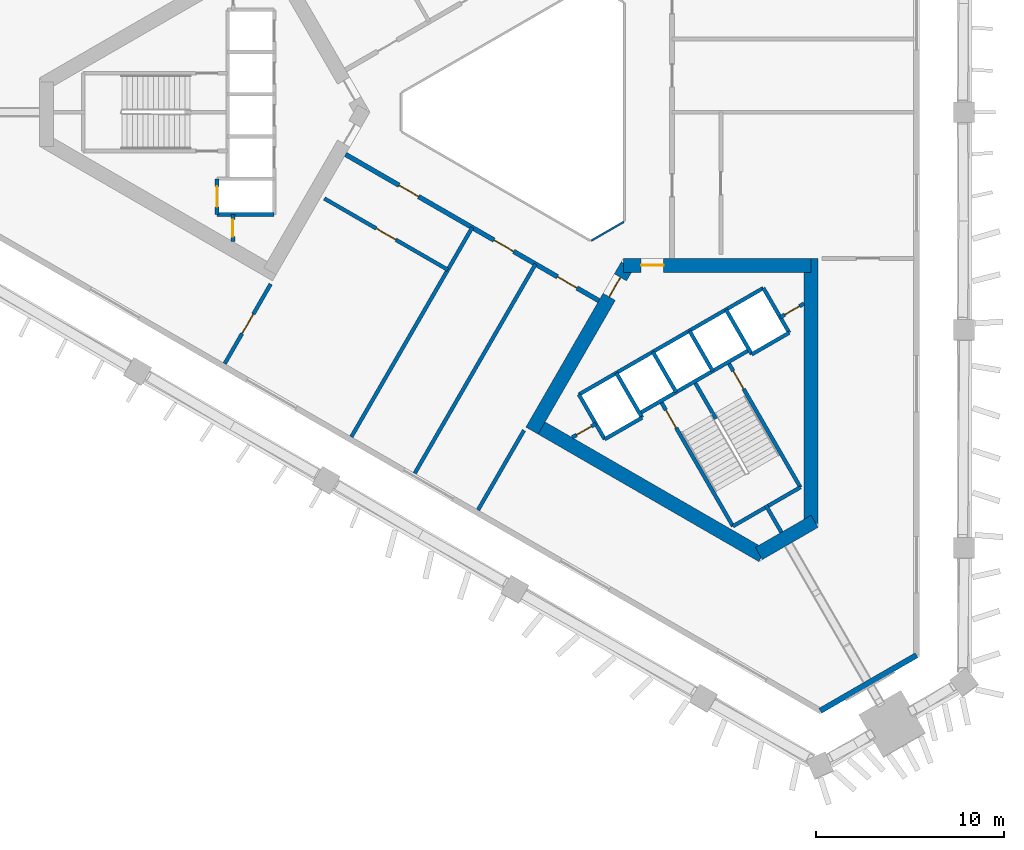
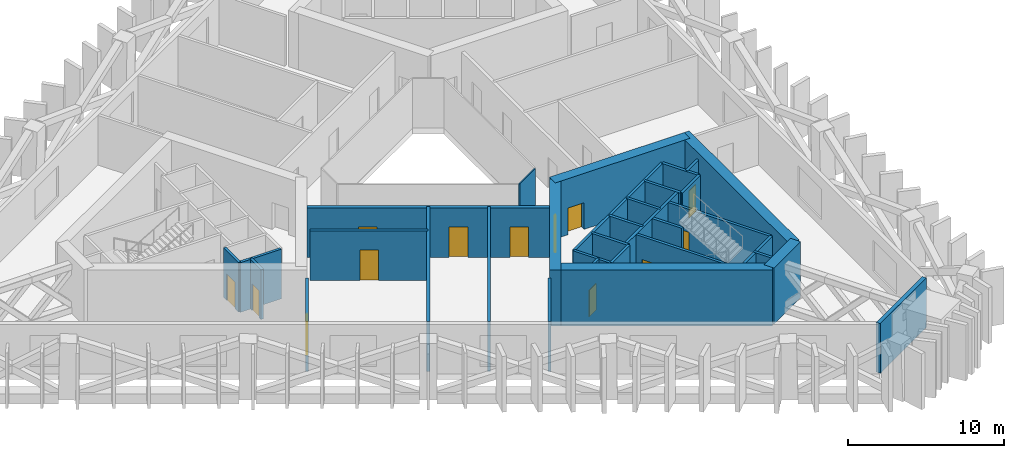
# One storey, part 4 of 9: 33 walls, 13 doors, 13 openings.
"""IFC4 building model written with IfcOpenShell, lengths in metres."""

from ifc_helpers import new_model, si_unit, direction, frame, frame_2d, origin, place, context, subcontext, project, spatial, rectangle, extrude, material, layer, layer_set, type_object, element, fill, save


model = new_model("IFC4")

# Units and contexts
model_context = context("Model", 3, precision=1e-05, world=origin(), true_north=direction((0.0, 1.0)))
body_context = subcontext(model_context, "Body", "Model", "MODEL_VIEW")
ifc_project = project(units=[si_unit("LENGTHUNIT", "METRE"), si_unit("AREAUNIT", "SQUARE_METRE"), si_unit("VOLUMEUNIT", "CUBIC_METRE"), si_unit("PLANEANGLEUNIT", "RADIAN"), si_unit("MASSUNIT", "GRAM", prefix="KILO")], contexts=[model_context])

# Site, building, storey
site_placement = place(None, origin())
site = spatial("IfcSite", under=ifc_project, at=site_placement, CompositionType="ELEMENT")
building_placement = place(site_placement, origin())
building = spatial("IfcBuilding", under=site, at=building_placement, Name="Jabali Bay Hotel Tower and Convention Centre", CompositionType="ELEMENT")
storey_placement = place(building_placement, frame((0.0, 0.0, 98.0)))
storey = spatial("IfcBuildingStorey", under=building, at=storey_placement, Name="L23", CompositionType="ELEMENT", Elevation=98.0)

# Wall
ifc_material_1 = material(Name="Fire-resistant glazing", Category="glass")
ifc_layer_1 = layer(ifc_material_1, 0.10009765625)
ifc_layer_set_1 = layer_set([ifc_layer_1], Name="Fire-resistant glazing")
wall_type_1 = type_object("IfcWallType", Name="Atrium glazed screen 100", PredefinedType="PARTITIONING", material=ifc_layer_set_1)
wall_1_placement = place(storey_placement, frame((77.7978515625, 73.15380859375, 0.0), z_axis=(0.0, 0.0, 1.0), x_axis=(0.866041268327, 0.499972520799, 0.0)))
element("IfcWall", 1, at=wall_1_placement, inside=storey, type_object=wall_type_1, Name="Atrium screen 6 L23", PredefinedType="PARTITIONING", context=body_context, shape_type="SweptSolid", body=[
    extrude(rectangle(XDim=2.0, YDim=0.10009765625, at=frame_2d((1.0, 0.0))), origin(), (0.0, 0.0, 1.0), 3.89990234375),
])

# Wall, opening, door
ifc_material_2 = material(Name="Concrete C40", Category="concrete")
ifc_layer_2 = layer(ifc_material_2, 0.199951171875)
ifc_layer_set_2 = layer_set([ifc_layer_2], Name="Concrete C40")
wall_type_2 = type_object("IfcWallType", Name="Core partition wall 200", PredefinedType="PARTITIONING", material=ifc_layer_set_2)
wall_2_placement = place(storey_placement, frame((58.699951171875, 74.550048828125, 0.0), z_axis=(0.0, 0.0, 1.0), x_axis=(0.0, -1.0, 0.0)))
wall_2 = element("IfcWall", 2, at=wall_2_placement, inside=storey, type_object=wall_type_2, Name="Core wall 0.12 L23", PredefinedType="PARTITIONING", context=body_context, shape_type="SweptSolid", body=[
    extrude(rectangle(XDim=1.455078125, YDim=0.199951171875, at=frame_2d((0.7275390625, 0.0))), origin(), (0.0, 0.0, 1.0), 3.89990234375),
])
opening_1_placement = place(wall_2_placement, frame((0.277587890625, 0.0, 0.0)))
opening_1 = element("IfcOpeningElement", 3, at=opening_1_placement, cuts=wall_2, Name="Opening D530", PredefinedType="OPENING", context=body_context, shape_type="SweptSolid", body=[
    extrude(rectangle(XDim=0.89990234375, YDim=2.10009765625, at=frame_2d((0.449951171875, 1.050048828125))), frame((0.0, 0.1103515625, 0.0), z_axis=(0.0, -1.0, 0.0), x_axis=(1.0, 0.0, 0.0)), (0.0, 0.0, 1.0), 0.220947265625),
])
ifc_material_3 = material(Name="Fire-rated steel door", Category="steel")
door_type_1 = type_object("IfcDoorType", Name="Vestibule fire door 900 x 2100", OperationType="NOTDEFINED", PredefinedType="NOTDEFINED", material=ifc_material_3)
door_1_placement = place(opening_1_placement, origin())
door_1 = element("IfcDoor", 4, at=door_1_placement, inside=storey, type_object=door_type_1, Name="Vestibule fire door D530", OperationType="SINGLE_SWING_LEFT", OverallHeight=2.10009765625, OverallWidth=0.89990234375, PredefinedType="NOTDEFINED", context=body_context, shape_type="SweptSolid", body=[
    extrude(rectangle(XDim=0.89990234375, YDim=2.10009765625, at=frame_2d((0.449951171875, 1.050048828125))), frame((0.0, 0.02490234375, 0.0), z_axis=(0.0, -1.0, 0.0), x_axis=(1.0, 0.0, 0.0)), (0.0, 0.0, 1.0), 0.050048828125),
])
fill(opening_1, door_1)

# Wall
wall_3_placement = place(storey_placement, frame((87.090087890625, 59.0595703125, 0.0), z_axis=(0.0, 0.0, 1.0), x_axis=(0.499937194881, -0.866061661301, 0.0)))
element("IfcWall", 5, at=wall_3_placement, inside=storey, type_object=wall_type_2, Name="Core wall 2.5 L23", PredefinedType="PARTITIONING", context=body_context, shape_type="SweptSolid", body=[
    extrude(rectangle(XDim=1.673095703125, YDim=0.199951171875, at=frame_2d((0.83642578125, 0.0))), origin(), (0.0, 0.0, 1.0), 3.89990234375),
])

# Wall, opening, door
wall_4_placement = place(storey_placement, frame((76.77001953125, 62.662109375, 0.0), z_axis=(0.0, 0.0, 1.0), x_axis=(0.866054810376, 0.49994906283, 0.0)))
wall_4 = element("IfcWall", 6, at=wall_4_placement, inside=storey, type_object=wall_type_2, Name="Core wall 2.11 L23", PredefinedType="PARTITIONING", context=body_context, shape_type="SweptSolid", body=[
    extrude(rectangle(XDim=1.461181640625, YDim=0.199951171875, at=frame_2d((0.73046875, 0.0))), origin(), (0.0, 0.0, 1.0), 3.89990234375),
])
opening_2_placement = place(wall_4_placement, frame((0.280517578125, 0.0, 0.0)))
opening_2 = element("IfcOpeningElement", 7, at=opening_2_placement, cuts=wall_4, Name="Opening D543", PredefinedType="OPENING", context=body_context, shape_type="SweptSolid", body=[
    extrude(rectangle(XDim=0.89990234375, YDim=2.10009765625, at=frame_2d((0.449951171875, 1.050048828125))), frame((0.0, 0.1103515625, 0.0), z_axis=(0.0, -1.0, 0.0), x_axis=(1.0, 0.0, 0.0)), (0.0, 0.0, 1.0), 0.220947265625),
])
door_2_placement = place(opening_2_placement, origin())
door_2 = element("IfcDoor", 8, at=door_2_placement, inside=storey, type_object=door_type_1, Name="Vestibule fire door D543", OperationType="SINGLE_SWING_LEFT", OverallHeight=2.10009765625, OverallWidth=0.89990234375, PredefinedType="NOTDEFINED", context=body_context, shape_type="SweptSolid", body=[
    extrude(rectangle(XDim=0.89990234375, YDim=2.10009765625, at=frame_2d((0.449951171875, 1.050048828125))), frame((0.0, 0.02490234375, 0.0), z_axis=(0.0, -1.0, 0.0), x_axis=(1.0, 0.0, 0.0)), (0.0, 0.0, 1.0), 0.050048828125),
])
fill(opening_2, door_2)

wall_5_placement = place(storey_placement, frame((87.86474609375, 69.067626953125, 0.0), z_axis=(0.0, 0.0, 1.0), x_axis=(0.865982457891, 0.500074377092, 0.0)))
wall_5 = element("IfcWall", 9, at=wall_5_placement, inside=storey, type_object=wall_type_2, Name="Core wall 2.12 L23", PredefinedType="PARTITIONING", context=body_context, shape_type="SweptSolid", body=[
    extrude(rectangle(XDim=1.461181640625, YDim=0.199951171875, at=frame_2d((0.73046875, 0.0))), origin(), (0.0, 0.0, 1.0), 3.89990234375),
])
opening_3_placement = place(wall_5_placement, frame((0.280517578125, 0.0, 0.0)))
opening_3 = element("IfcOpeningElement", 10, at=opening_3_placement, cuts=wall_5, Name="Opening D542", PredefinedType="OPENING", context=body_context, shape_type="SweptSolid", body=[
    extrude(rectangle(XDim=0.89990234375, YDim=2.10009765625, at=frame_2d((0.449951171875, 1.050048828125))), frame((0.0, 0.1103515625, 0.0), z_axis=(0.0, -1.0, 0.0), x_axis=(1.0, 0.0, 0.0)), (0.0, 0.0, 1.0), 0.220947265625),
])
door_3_placement = place(opening_3_placement, origin())
door_3 = element("IfcDoor", 11, at=door_3_placement, inside=storey, type_object=door_type_1, Name="Vestibule fire door D542", OperationType="SINGLE_SWING_LEFT", OverallHeight=2.10009765625, OverallWidth=0.89990234375, PredefinedType="NOTDEFINED", context=body_context, shape_type="SweptSolid", body=[
    extrude(rectangle(XDim=0.89990234375, YDim=2.10009765625, at=frame_2d((0.449951171875, 1.050048828125))), frame((0.0, 0.02490234375, 0.0), z_axis=(0.0, -1.0, 0.0), x_axis=(1.0, 0.0, 0.0)), (0.0, 0.0, 1.0), 0.050048828125),
])
fill(opening_3, door_3)

# Wall
ifc_layer_3 = layer(ifc_material_2, 0.199951171875)
ifc_layer_set_3 = layer_set([ifc_layer_3], Name="Concrete C40")
wall_type_3 = type_object("IfcWallType", Name="Core stair wall 200", PredefinedType="SOLIDWALL", material=ifc_layer_set_3)
wall_6_placement = place(storey_placement, frame((60.89990234375, 74.550048828125, 0.0), z_axis=(0.0, 0.0, 1.0), x_axis=(-1.0, 0.0, 0.0)))
element("IfcWall", 12, at=wall_6_placement, inside=storey, type_object=wall_type_3, Name="Core wall 0.9 L23", PredefinedType="SOLIDWALL", context=body_context, shape_type="SweptSolid", body=[
    extrude(rectangle(XDim=3.0498046875, YDim=0.199951171875, at=frame_2d((1.52490234375, 0.0))), origin(), (0.0, 0.0, 1.0), 3.89990234375),
])

# Wall, opening, door
wall_7_placement = place(storey_placement, frame((57.85009765625, 76.449951171875, 0.0), z_axis=(0.0, 0.0, 1.0), x_axis=(0.0, -1.0, 0.0)))
wall_7 = element("IfcWall", 13, at=wall_7_placement, inside=storey, type_object=wall_type_3, Name="Core wall 0.14 L23", PredefinedType="SOLIDWALL", context=body_context, shape_type="SweptSolid", body=[
    extrude(rectangle(XDim=1.89990234375, YDim=0.199951171875, at=frame_2d((0.949951171875, 0.0))), origin(), (0.0, 0.0, 1.0), 3.89990234375),
])
opening_4_placement = place(wall_7_placement, frame((0.39990234375, 0.0, 0.0)))
opening_4 = element("IfcOpeningElement", 14, at=opening_4_placement, cuts=wall_7, Name="Opening LD5-L23", PredefinedType="OPENING", context=body_context, shape_type="SweptSolid", body=[
    extrude(rectangle(XDim=1.10009765625, YDim=2.10009765625, at=frame_2d((0.550048828125, 1.050048828125))), frame((0.0, 0.1103515625, 0.0), z_axis=(0.0, -1.0, 0.0), x_axis=(1.0, 0.0, 0.0)), (0.0, 0.0, 1.0), 0.220947265625),
])
ifc_material_4 = material(Name="Stainless steel landing door", Category="steel")
door_type_2 = type_object("IfcDoorType", Name="Landing door 1100 x 2100", OperationType="NOTDEFINED", PredefinedType="NOTDEFINED", material=ifc_material_4)
door_4_placement = place(opening_4_placement, origin())
door_4 = element("IfcDoor", 15, at=door_4_placement, inside=storey, type_object=door_type_2, Name="Landing doors LD5-L23", OperationType="SLIDING_TO_RIGHT", OverallHeight=2.10009765625, OverallWidth=1.10009765625, PredefinedType="NOTDEFINED", context=body_context, shape_type="SweptSolid", body=[
    extrude(rectangle(XDim=1.10009765625, YDim=2.10009765625, at=frame_2d((0.550048828125, 1.050048828125))), frame((0.0, 0.02490234375, 0.0), z_axis=(0.0, -1.0, 0.0), x_axis=(1.0, 0.0, 0.0)), (0.0, 0.0, 1.0), 0.050048828125),
])
fill(opening_4, door_4)

# Walls
for number, where, z_axis, x_axis, name in (
    (16, (77.13525390625, 64.95166015625, 0.0), (0.0, 0.0, 1.0), (0.499996545922, -0.866027397988, 0.0), "Core wall 2.0 L23"),
    (17, (79.127197265625, 66.1015625, 0.0), (0.0, 0.0, 1.0), (0.499996545922, -0.866027397988, 0.0), "Core wall 2.1 L23"),
):
    element("IfcWall", number, at=place(storey_placement, frame(where, z_axis=z_axis, x_axis=x_axis)), inside=storey, type_object=wall_type_3, Name=name, PredefinedType="SOLIDWALL", context=body_context, shape_type="SweptSolid", body=[
        extrude(rectangle(XDim=2.75, YDim=0.199951171875, at=frame_2d((1.375, 0.0))), origin(), (0.0, 0.0, 1.0), 3.89990234375),
    ])

# Wall, opening, door
wall_8_placement = place(storey_placement, frame((81.492919921875, 64.603759765625, 0.0), z_axis=(0.0, 0.0, 1.0), x_axis=(0.500006057782, -0.866021906294, 0.0)))
wall_8 = element("IfcWall", 18, at=wall_8_placement, inside=storey, type_object=wall_type_3, Name="Core wall 2.2 L23", PredefinedType="SOLIDWALL", context=body_context, shape_type="SweptSolid", body=[
    extrude(rectangle(XDim=7.7001953125, YDim=0.199951171875, at=frame_2d((3.85009765625, 0.0))), origin(), (0.0, 0.0, 1.0), 3.89990234375),
])
opening_5_placement = place(wall_8_placement, frame((0.550048828125, 0.0, 0.0)))
opening_5 = element("IfcOpeningElement", 19, at=opening_5_placement, cuts=wall_8, Name="Opening D545", PredefinedType="OPENING", context=body_context, shape_type="SweptSolid", body=[
    extrude(rectangle(XDim=1.10009765625, YDim=2.10009765625, at=frame_2d((0.550048828125, 1.050048828125))), frame((0.0, 0.1103515625, 0.0), z_axis=(0.0, -1.0, 0.0), x_axis=(1.0, 0.0, 0.0)), (0.0, 0.0, 1.0), 0.220947265625),
])
door_type_3 = type_object("IfcDoorType", Name="Stair fire door 1100 x 2100", OperationType="NOTDEFINED", PredefinedType="NOTDEFINED", material=ifc_material_3)
door_5_placement = place(opening_5_placement, origin())
door_5 = element("IfcDoor", 20, at=door_5_placement, inside=storey, type_object=door_type_3, Name="Stair fire door D545", OperationType="SINGLE_SWING_LEFT", OverallHeight=2.10009765625, OverallWidth=1.10009765625, PredefinedType="NOTDEFINED", context=body_context, shape_type="SweptSolid", body=[
    extrude(rectangle(XDim=1.10009765625, YDim=2.10009765625, at=frame_2d((0.550048828125, 1.050048828125))), frame((0.0, 0.02490234375, 0.0), z_axis=(0.0, -1.0, 0.0), x_axis=(1.0, 0.0, 0.0)), (0.0, 0.0, 1.0), 0.050048828125),
])
fill(opening_5, door_5)

# Walls
wall_9_placement = place(storey_placement, frame((81.07568359375, 67.2265625, 0.0), z_axis=(0.0, 0.0, 1.0), x_axis=(0.50000366821, -0.866023285932, 0.0)))
element("IfcWall", 21, at=wall_9_placement, inside=storey, type_object=wall_type_3, Name="Core wall 2.3 L23", PredefinedType="SOLIDWALL", context=body_context, shape_type="SweptSolid", body=[
    extrude(rectangle(XDim=2.47998046875, YDim=0.199951171875, at=frame_2d((1.239990234375, 0.0))), origin(), (0.0, 0.0, 1.0), 3.89990234375),
])
wall_10_placement = place(storey_placement, frame((83.340087890625, 65.5546875, 0.0), z_axis=(0.0, 0.0, 1.0), x_axis=(0.499946605688, -0.86605622881, 0.0)))
element("IfcWall", 22, at=wall_10_placement, inside=storey, type_object=wall_type_3, Name="Core wall 2.4 L23", PredefinedType="SOLIDWALL", context=body_context, shape_type="SweptSolid", body=[
    extrude(rectangle(XDim=2.199951171875, YDim=0.199951171875, at=frame_2d((1.10009765625, 0.0))), origin(), (0.0, 0.0, 1.0), 3.89990234375),
])
wall_11_placement = place(storey_placement, frame((83.024169921875, 68.3515625, 0.0), z_axis=(0.0, 0.0, 1.0), x_axis=(0.50000366821, -0.866023285932, 0.0)))
element("IfcWall", 23, at=wall_11_placement, inside=storey, type_object=wall_type_3, Name="Core wall 2.6 L23", PredefinedType="SOLIDWALL", context=body_context, shape_type="SweptSolid", body=[
    extrude(rectangle(XDim=2.47998046875, YDim=0.199951171875, at=frame_2d((1.239990234375, 0.0))), origin(), (0.0, 0.0, 1.0), 3.89990234375),
])

# Wall, opening, door
wall_12_placement = place(storey_placement, frame((85.0869140625, 66.6787109375, 0.0), z_axis=(0.0, 0.0, 1.0), x_axis=(0.500019787375, -0.866013979237, 0.0)))
wall_12 = element("IfcWall", 24, at=wall_12_placement, inside=storey, type_object=wall_type_3, Name="Core wall 2.7 L23", PredefinedType="SOLIDWALL", context=body_context, shape_type="SweptSolid", body=[
    extrude(rectangle(XDim=7.699951171875, YDim=0.199951171875, at=frame_2d((3.85009765625, 0.0))), origin(), (0.0, 0.0, 1.0), 3.89990234375),
])
opening_6_placement = place(wall_12_placement, frame((0.550048828125, 0.0, 0.0)))
opening_6 = element("IfcOpeningElement", 25, at=opening_6_placement, cuts=wall_12, Name="Opening D544", PredefinedType="OPENING", context=body_context, shape_type="SweptSolid", body=[
    extrude(rectangle(XDim=1.10009765625, YDim=2.10009765625, at=frame_2d((0.550048828125, 1.050048828125))), frame((0.0, 0.1103515625, 0.0), z_axis=(0.0, -1.0, 0.0), x_axis=(1.0, 0.0, 0.0)), (0.0, 0.0, 1.0), 0.220947265625),
])
door_6_placement = place(opening_6_placement, origin())
door_6 = element("IfcDoor", 26, at=door_6_placement, inside=storey, type_object=door_type_3, Name="Stair fire door D544", OperationType="SINGLE_SWING_RIGHT", OverallHeight=2.10009765625, OverallWidth=1.10009765625, PredefinedType="NOTDEFINED", context=body_context, shape_type="SweptSolid", body=[
    extrude(rectangle(XDim=1.10009765625, YDim=2.10009765625, at=frame_2d((0.550048828125, 1.050048828125))), frame((0.0, 0.02490234375, 0.0), z_axis=(0.0, -1.0, 0.0), x_axis=(1.0, 0.0, 0.0)), (0.0, 0.0, 1.0), 0.050048828125),
])
fill(opening_6, door_6)

# Walls
for number, where, z_axis, x_axis, name in (
    (27, (84.972900390625, 69.4765625, 0.0), (0.0, 0.0, 1.0), (0.499996545922, -0.866027397988, 0.0), "Core wall 2.8 L23"),
    (28, (86.964599609375, 70.62646484375, 0.0), (0.0, 0.0, 1.0), (0.499996545922, -0.866027397988, 0.0), "Core wall 2.9 L23"),
):
    element("IfcWall", number, at=place(storey_placement, frame(where, z_axis=z_axis, x_axis=x_axis)), inside=storey, type_object=wall_type_3, Name=name, PredefinedType="SOLIDWALL", context=body_context, shape_type="SweptSolid", body=[
        extrude(rectangle(XDim=2.75, YDim=0.199951171875, at=frame_2d((1.375, 0.0))), origin(), (0.0, 0.0, 1.0), 3.89990234375),
    ])
wall_13_placement = place(storey_placement, frame((77.13525390625, 64.95166015625, 0.0), z_axis=(0.0, 0.0, 1.0), x_axis=(0.866031916153, 0.499988720078, 0.0)))
element("IfcWall", 29, at=wall_13_placement, inside=storey, type_object=wall_type_3, Name="Core wall 2.10 L23", PredefinedType="SOLIDWALL", context=body_context, shape_type="SweptSolid", body=[
    extrude(rectangle(XDim=11.349853515625, YDim=0.199951171875, at=frame_2d((5.6748046875, 0.0))), origin(), (0.0, 0.0, 1.0), 3.89990234375),
])
wall_14_placement = place(storey_placement, frame((80.3671875, 63.953857421875, 0.0), z_axis=(0.0, 0.0, 1.0), x_axis=(0.866026575979, 0.499997969693, 0.0)))
element("IfcWall", 30, at=wall_14_placement, inside=storey, type_object=wall_type_3, Name="Core wall 2.13 L23", PredefinedType="SOLIDWALL", context=body_context, shape_type="SweptSolid", body=[
    extrude(rectangle(XDim=6.75, YDim=0.199951171875, at=frame_2d((3.375, 0.0))), origin(), (0.0, 0.0, 1.0), 3.89990234375),
])
wall_15_placement = place(storey_placement, frame((78.51025390625, 62.570068359375, 0.0), z_axis=(0.0, 0.0, 1.0), x_axis=(0.866053019151, 0.499952165731, 0.0)))
element("IfcWall", 31, at=wall_15_placement, inside=storey, type_object=wall_type_3, Name="Core wall 2.14 L23", PredefinedType="SOLIDWALL", context=body_context, shape_type="SweptSolid", body=[
    extrude(rectangle(XDim=2.300048828125, YDim=0.199951171875, at=frame_2d((1.14990234375, 0.0))), origin(), (0.0, 0.0, 1.0), 3.89990234375),
])
wall_16_placement = place(storey_placement, frame((86.347900390625, 67.094970703125, 0.0), z_axis=(0.0, 0.0, 1.0), x_axis=(0.86602648383, 0.499998129301, 0.0)))
element("IfcWall", 32, at=wall_16_placement, inside=storey, type_object=wall_type_3, Name="Core wall 2.15 L23", PredefinedType="SOLIDWALL", context=body_context, shape_type="SweptSolid", body=[
    extrude(rectangle(XDim=2.2998046875, YDim=0.199951171875, at=frame_2d((1.14990234375, 0.0))), origin(), (0.0, 0.0, 1.0), 3.89990234375),
])
wall_17_placement = place(storey_placement, frame((85.343017578125, 57.935302734375, 0.0), z_axis=(0.0, 0.0, 1.0), x_axis=(0.866004344652, 0.500036473714, 0.0)))
element("IfcWall", 33, at=wall_17_placement, inside=storey, type_object=wall_type_3, Name="Core wall 2.16 L23", PredefinedType="SOLIDWALL", context=body_context, shape_type="SweptSolid", body=[
    extrude(rectangle(XDim=4.150146484375, YDim=0.199951171875, at=frame_2d((2.0751953125, 0.0))), origin(), (0.0, 0.0, 1.0), 3.89990234375),
])

# Wall, opening, door
ifc_material_5 = material(Name="Concrete C60", Category="concrete")
ifc_layer_4 = layer(ifc_material_5, 0.75)
ifc_layer_set_4 = layer_set([ifc_layer_4], Name="Concrete C60")
wall_type_4 = type_object("IfcWallType", Name="Core wall 750", PredefinedType="SHEAR", material=ifc_layer_set_4)
wall_18_placement = place(storey_placement, frame((79.716552734375, 71.830810546875, 0.0), z_axis=(0.0, 0.0, 1.0), x_axis=(-0.499996230114, -0.866027580318, 0.0)))
wall_18 = element("IfcWall", 34, at=wall_18_placement, inside=storey, type_object=wall_type_4, Name="Core wall 3.1 L23", PredefinedType="SHEAR", context=body_context, shape_type="SweptSolid", body=[
    extrude(rectangle(XDim=10.16357421875, YDim=0.75, at=frame_2d((5.081787109375, 0.0))), origin(), (0.0, 0.0, 1.0), 4.39990234375),
])
opening_7_placement = place(wall_18_placement, frame((0.7333984375, 0.0, 0.0)))
opening_7 = element("IfcOpeningElement", 35, at=opening_7_placement, cuts=wall_18, Name="Opening D540", PredefinedType="OPENING", context=body_context, shape_type="SweptSolid", body=[
    extrude(rectangle(XDim=1.199951171875, YDim=2.10009765625, at=frame_2d((0.60009765625, 1.050048828125))), frame((0.0, 0.385498046875, 0.0), z_axis=(0.0, -1.0, 0.0), x_axis=(1.0, 0.0, 0.0)), (0.0, 0.0, 1.0), 0.77099609375),
])
door_type_4 = type_object("IfcDoorType", Name="Corridor end fire door 1200 x 2100", OperationType="NOTDEFINED", PredefinedType="NOTDEFINED", material=ifc_material_3)
door_7_placement = place(opening_7_placement, origin())
door_7 = element("IfcDoor", 36, at=door_7_placement, inside=storey, type_object=door_type_4, Name="Corridor end fire door D540", OperationType="SINGLE_SWING_RIGHT", OverallHeight=2.10009765625, OverallWidth=1.199951171875, PredefinedType="NOTDEFINED", context=body_context, shape_type="SweptSolid", body=[
    extrude(rectangle(XDim=1.199951171875, YDim=2.10009765625, at=frame_2d((0.60009765625, 1.050048828125))), frame((0.0, 0.02490234375, 0.0), z_axis=(0.0, -1.0, 0.0), x_axis=(1.0, 0.0, 0.0)), (0.0, 0.0, 1.0), 0.050048828125),
])
fill(opening_7, door_7)

# Walls
wall_19_placement = place(storey_placement, frame((74.822265625, 63.353759765625, 0.0), z_axis=(0.0, 0.0, 1.0), x_axis=(0.8660248072, -0.500001033313, 0.0)))
element("IfcWall", 37, at=wall_19_placement, inside=storey, type_object=wall_type_4, Name="Core wall 3.2 L23", PredefinedType="SHEAR", context=body_context, shape_type="SweptSolid", body=[
    extrude(rectangle(XDim=13.95849609375, YDim=0.75, at=frame_2d((6.979248046875, 0.0))), origin(), (0.0, 0.0, 1.0), 4.39990234375),
])
wall_20_placement = place(storey_placement, frame((86.72314453125, 56.482666015625, 0.0), z_axis=(0.0, 0.0, 1.0), x_axis=(0.866017201164, 0.500014207086, 0.0)))
element("IfcWall", 38, at=wall_20_placement, inside=storey, type_object=wall_type_4, Name="Core wall 3.3 L23", PredefinedType="SHEAR", context=body_context, shape_type="SweptSolid", body=[
    extrude(rectangle(XDim=3.4287109375, YDim=0.75, at=frame_2d((1.71435546875, 0.0))), origin(), (0.0, 0.0, 1.0), 4.39990234375),
])
wall_21_placement = place(storey_placement, frame((89.5048828125, 58.0888671875, 0.0), z_axis=(0.0, 0.0, 1.0), x_axis=(0.0, 1.0, 0.0)))
element("IfcWall", 39, at=wall_21_placement, inside=storey, type_object=wall_type_4, Name="Core wall 3.4 L23", PredefinedType="SHEAR", context=body_context, shape_type="SweptSolid", body=[
    extrude(rectangle(XDim=14.116943359375, YDim=0.75, at=frame_2d((7.05859375, 0.0))), origin(), (0.0, 0.0, 1.0), 4.39990234375),
])

# Wall, opening, door
wall_22_placement = place(storey_placement, frame((89.5048828125, 71.830810546875, 0.0), z_axis=(0.0, 0.0, 1.0), x_axis=(-1.0, 0.0, 0.0)))
wall_22 = element("IfcWall", 40, at=wall_22_placement, inside=storey, type_object=wall_type_4, Name="Core wall 3.5 L23", PredefinedType="SHEAR", context=body_context, shape_type="SweptSolid", body=[
    extrude(rectangle(XDim=10.0048828125, YDim=0.75, at=frame_2d((5.00244140625, 0.0))), origin(), (0.0, 0.0, 1.0), 4.39990234375),
])
opening_8_placement = place(wall_22_placement, frame((7.85498046875, 0.0, 0.0)))
opening_8 = element("IfcOpeningElement", 41, at=opening_8_placement, cuts=wall_22, Name="Opening D541", PredefinedType="OPENING", context=body_context, shape_type="SweptSolid", body=[
    extrude(rectangle(XDim=1.199951171875, YDim=2.10009765625, at=frame_2d((0.60009765625, 1.050048828125))), frame((0.0, 0.385498046875, 0.0), z_axis=(0.0, -1.0, 0.0), x_axis=(1.0, 0.0, 0.0)), (0.0, 0.0, 1.0), 0.77099609375),
])
door_8_placement = place(opening_8_placement, origin())
door_8 = element("IfcDoor", 42, at=door_8_placement, inside=storey, type_object=door_type_4, Name="Corridor end fire door D541", OperationType="SINGLE_SWING_LEFT", OverallHeight=2.10009765625, OverallWidth=1.199951171875, PredefinedType="NOTDEFINED", context=body_context, shape_type="SweptSolid", body=[
    extrude(rectangle(XDim=1.199951171875, YDim=2.10009765625, at=frame_2d((0.60009765625, 1.050048828125))), frame((0.0, 0.02490234375, 0.0), z_axis=(0.0, -1.0, 0.0), x_axis=(1.0, 0.0, 0.0)), (0.0, 0.0, 1.0), 0.050048828125),
])
fill(opening_8, door_8)

# Wall, openings, doors
ifc_layer_5 = layer(ifc_material_5, 0.25)
ifc_layer_set_5 = layer_set([ifc_layer_5], Name="Concrete C60")
wall_type_5 = type_object("IfcWallType", Name="Corridor wall 250", PredefinedType="SHEAR", material=ifc_layer_set_5)
wall_23_placement = place(storey_placement, frame((64.699951171875, 77.748291015625, 0.0), z_axis=(0.0, 0.0, 1.0), x_axis=(0.866026492143, -0.499998114903, 0.0)))
wall_23 = element("IfcWall", 43, at=wall_23_placement, inside=storey, type_object=wall_type_5, Name="Corridor wall 3 L23", PredefinedType="SHEAR", context=body_context, shape_type="SweptSolid", body=[
    extrude(rectangle(XDim=15.58837890625, YDim=0.25, at=frame_2d((7.794189453125, 0.0))), origin(), (0.0, 0.0, 1.0), 3.89990234375),
])
opening_9_placement = place(wall_23_placement, frame((3.297119140625, 0.0, 0.0)))
opening_9 = element("IfcOpeningElement", 44, at=opening_9_placement, cuts=wall_23, Name="Opening 2309", PredefinedType="OPENING", context=body_context, shape_type="SweptSolid", body=[
    extrude(rectangle(XDim=1.199951171875, YDim=2.39990234375, at=frame_2d((0.60009765625, 1.199951171875))), frame((0.0, 0.135498046875, 0.0), z_axis=(0.0, -1.0, 0.0), x_axis=(1.0, 0.0, 0.0)), (0.0, 0.0, 1.0), 0.27099609375),
])
opening_10_placement = place(wall_23_placement, frame((9.142822265625, 0.0, 0.0)))
opening_10 = element("IfcOpeningElement", 45, at=opening_10_placement, cuts=wall_23, Name="Opening 2311", PredefinedType="OPENING", context=body_context, shape_type="SweptSolid", body=[
    extrude(rectangle(XDim=1.199951171875, YDim=2.39990234375, at=frame_2d((0.60009765625, 1.199951171875))), frame((0.0, 0.135498046875, 0.0), z_axis=(0.0, -1.0, 0.0), x_axis=(1.0, 0.0, 0.0)), (0.0, 0.0, 1.0), 0.27099609375),
])
opening_11_placement = place(wall_23_placement, frame((13.039794921875, 0.0, 0.0)))
opening_11 = element("IfcOpeningElement", 46, at=opening_11_placement, cuts=wall_23, Name="Opening 2312", PredefinedType="OPENING", context=body_context, shape_type="SweptSolid", body=[
    extrude(rectangle(XDim=1.199951171875, YDim=2.39990234375, at=frame_2d((0.60009765625, 1.199951171875))), frame((0.0, 0.135498046875, 0.0), z_axis=(0.0, -1.0, 0.0), x_axis=(1.0, 0.0, 0.0)), (0.0, 0.0, 1.0), 0.27099609375),
])
ifc_material_6 = material(Name="Steel Q355B", Category="steel")
door_type_5 = type_object("IfcDoorType", Name="Plant room door 1200 x 2400", OperationType="NOTDEFINED", PredefinedType="NOTDEFINED", material=ifc_material_6)
door_9_placement = place(opening_10_placement, origin())
door_9 = element("IfcDoor", 47, at=door_9_placement, inside=storey, type_object=door_type_5, Name="Door 2311", OperationType="SINGLE_SWING_RIGHT", OverallHeight=2.39990234375, OverallWidth=1.199951171875, PredefinedType="NOTDEFINED", context=body_context, shape_type="SweptSolid", body=[
    extrude(rectangle(XDim=1.199951171875, YDim=2.39990234375, at=frame_2d((0.60009765625, 1.199951171875))), frame((0.0, 0.02490234375, 0.0), z_axis=(0.0, -1.0, 0.0), x_axis=(1.0, 0.0, 0.0)), (0.0, 0.0, 1.0), 0.050048828125),
])
fill(opening_10, door_9)
ifc_material_7 = material(Name="Timber", Category="wood")
door_type_6 = type_object("IfcDoorType", Name="Public room door 1200 x 2400", OperationType="NOTDEFINED", PredefinedType="NOTDEFINED", material=ifc_material_7)
door_10_placement = place(opening_11_placement, origin())
door_10 = element("IfcDoor", 48, at=door_10_placement, inside=storey, type_object=door_type_6, Name="Door 2312", OperationType="SINGLE_SWING_RIGHT", OverallHeight=2.39990234375, OverallWidth=1.199951171875, PredefinedType="NOTDEFINED", context=body_context, shape_type="SweptSolid", body=[
    extrude(rectangle(XDim=1.199951171875, YDim=2.39990234375, at=frame_2d((0.60009765625, 1.199951171875))), frame((0.0, 0.02490234375, 0.0), z_axis=(0.0, -1.0, 0.0), x_axis=(1.0, 0.0, 0.0)), (0.0, 0.0, 1.0), 0.050048828125),
])
fill(opening_11, door_10)
door_type_7 = type_object("IfcDoorType", Name="Refuge hall door 1200 x 2400", OperationType="NOTDEFINED", PredefinedType="NOTDEFINED", material=ifc_material_6)
door_11_placement = place(opening_9_placement, origin())
door_11 = element("IfcDoor", 49, at=door_11_placement, inside=storey, type_object=door_type_7, Name="Door 2309", OperationType="SINGLE_SWING_LEFT", OverallHeight=2.39990234375, OverallWidth=1.199951171875, PredefinedType="NOTDEFINED", context=body_context, shape_type="SweptSolid", body=[
    extrude(rectangle(XDim=1.199951171875, YDim=2.39990234375, at=frame_2d((0.60009765625, 1.199951171875))), frame((0.0, 0.02490234375, 0.0), z_axis=(0.0, -1.0, 0.0), x_axis=(1.0, 0.0, 0.0)), (0.0, 0.0, 1.0), 0.050048828125),
])
fill(opening_9, door_11)

# Walls
ifc_layer_6 = layer(ifc_material_2, 0.300048828125)
ifc_layer_set_6 = layer_set([ifc_layer_6], Name="Concrete C40")
wall_type_6 = type_object("IfcWallType", Name="External wall 300", PredefinedType="SOLIDWALL", material=ifc_layer_set_6)
wall_24_placement = place(storey_placement, frame((95.127197265625, 51.06103515625, 0.0), z_axis=(0.0, 0.0, 1.0), x_axis=(-0.8660249478, -0.500000789788, 0.0)))
element("IfcWall", 50, at=wall_24_placement, inside=storey, type_object=wall_type_6, Name="External wall south-east chamfer L23", PredefinedType="SOLIDWALL", context=body_context, shape_type="SweptSolid", body=[
    extrude(rectangle(XDim=5.92236328125, YDim=0.300048828125, at=frame_2d((2.961181640625, 0.0))), origin(), (0.0, 0.0, 1.0), 3.89990234375),
])
ifc_material_8 = material(Name="Plasterboard on steel stud", Category="steel")
ifc_layer_7 = layer(ifc_material_8, 0.199951171875)
ifc_layer_set_7 = layer_set([ifc_layer_7], Name="Plasterboard on steel stud")
wall_type_7 = type_object("IfcWallType", Name="Partition 200 party", PredefinedType="PARTITIONING", material=ifc_layer_set_7)
wall_25_placement = place(storey_placement, frame((74.21044921875, 63.044189453125, 0.0), z_axis=(0.0, 0.0, 1.0), x_axis=(-0.499971209087, -0.866042025588, 0.0)))
element("IfcWall", 51, at=wall_25_placement, inside=storey, type_object=wall_type_7, Name="Partition P01 L23 015", PredefinedType="PARTITIONING", context=body_context, shape_type="SweptSolid", body=[
    extrude(rectangle(XDim=4.899169921875, YDim=0.199951171875, at=frame_2d((2.44970703125, 0.0))), origin(), (0.0, 0.0, 1.0), 3.89990234375),
])
ifc_layer_8 = layer(ifc_material_8, 0.199951171875)
ifc_layer_set_8 = layer_set([ifc_layer_8], Name="Plasterboard on steel stud")
wall_type_8 = type_object("IfcWallType", Name="Partition 200 plant", PredefinedType="PARTITIONING", material=ifc_layer_set_8)
wall_26_placement = place(storey_placement, frame((68.385986328125, 60.749755859375, 0.0), z_axis=(0.0, 0.0, 1.0), x_axis=(0.499992677578, 0.866029631346, 0.0)))
element("IfcWall", 52, at=wall_26_placement, inside=storey, type_object=wall_type_8, Name="Partition P04 L23 014", PredefinedType="PARTITIONING", context=body_context, shape_type="SweptSolid", body=[
    extrude(rectangle(XDim=12.878173828125, YDim=0.199951171875, at=frame_2d((6.43896484375, 0.0))), origin(), (0.0, 0.0, 1.0), 3.89990234375),
])

# Wall, opening, door
ifc_layer_9 = layer(ifc_material_8, 0.199951171875)
ifc_layer_set_9 = layer_set([ifc_layer_9], Name="Plasterboard on steel stud")
wall_type_9 = type_object("IfcWallType", Name="Partition 200 refuge", PredefinedType="PARTITIONING", material=ifc_layer_set_9)
wall_27_placement = place(storey_placement, frame((63.572265625, 75.397216796875, 0.0), z_axis=(0.0, 0.0, 1.0), x_axis=(0.866024999478, -0.500000700278, 0.0)))
wall_27 = element("IfcWall", 53, at=wall_27_placement, inside=storey, type_object=wall_type_9, Name="Partition P05 L23 011", PredefinedType="PARTITIONING", context=body_context, shape_type="SweptSolid", body=[
    extrude(rectangle(XDim=7.59521484375, YDim=0.199951171875, at=frame_2d((3.797607421875, 0.0))), origin(), (0.0, 0.0, 1.0), 3.89990234375),
])
opening_12_placement = place(wall_27_placement, frame((3.197998046875, 0.0, 0.0)))
opening_12 = element("IfcOpeningElement", 54, at=opening_12_placement, cuts=wall_27, Name="Opening 2310", PredefinedType="OPENING", context=body_context, shape_type="SweptSolid", body=[
    extrude(rectangle(XDim=1.199951171875, YDim=2.39990234375, at=frame_2d((0.60009765625, 1.199951171875))), frame((0.0, 0.1103515625, 0.0), z_axis=(0.0, -1.0, 0.0), x_axis=(1.0, 0.0, 0.0)), (0.0, 0.0, 1.0), 0.220947265625),
])
door_12_placement = place(opening_12_placement, origin())
door_12 = element("IfcDoor", 55, at=door_12_placement, inside=storey, type_object=door_type_7, Name="Door 2310", OperationType="SINGLE_SWING_RIGHT", OverallHeight=2.39990234375, OverallWidth=1.199951171875, PredefinedType="NOTDEFINED", context=body_context, shape_type="SweptSolid", body=[
    extrude(rectangle(XDim=1.199951171875, YDim=2.39990234375, at=frame_2d((0.60009765625, 1.199951171875))), frame((0.0, 0.02490234375, 0.0), z_axis=(0.0, -1.0, 0.0), x_axis=(1.0, 0.0, 0.0)), (0.0, 0.0, 1.0), 0.050048828125),
])
fill(opening_12, door_12)

# Wall
wall_28_placement = place(storey_placement, frame((65.010986328125, 62.698486328125, 0.0), z_axis=(0.0, 0.0, 1.0), x_axis=(0.499992677578, 0.866029631346, 0.0)))
element("IfcWall", 56, at=wall_28_placement, inside=storey, type_object=wall_type_9, Name="Partition P05 L23 012", PredefinedType="PARTITIONING", context=body_context, shape_type="SweptSolid", body=[
    extrude(rectangle(XDim=12.878173828125, YDim=0.199951171875, at=frame_2d((6.43896484375, 0.0))), origin(), (0.0, 0.0, 1.0), 3.89990234375),
])

# Wall, opening, door
wall_29_placement = place(storey_placement, frame((58.260986328125, 66.595458984375, 0.0), z_axis=(0.0, 0.0, 1.0), x_axis=(0.499971209087, 0.866042025588, 0.0)))
wall_29 = element("IfcWall", 57, at=wall_29_placement, inside=storey, type_object=wall_type_9, Name="Partition P05 L23 013", PredefinedType="PARTITIONING", context=body_context, shape_type="SweptSolid", body=[
    extrude(rectangle(XDim=4.899169921875, YDim=0.199951171875, at=frame_2d((2.44970703125, 0.0))), origin(), (0.0, 0.0, 1.0), 3.89990234375),
])
opening_13_placement = place(wall_29_placement, frame((1.85009765625, 0.0, 0.0)))
opening_13 = element("IfcOpeningElement", 58, at=opening_13_placement, cuts=wall_29, Name="Opening 2313", PredefinedType="OPENING", context=body_context, shape_type="SweptSolid", body=[
    extrude(rectangle(XDim=1.199951171875, YDim=2.39990234375, at=frame_2d((0.60009765625, 1.199951171875))), frame((0.0, 0.1103515625, 0.0), z_axis=(0.0, -1.0, 0.0), x_axis=(1.0, 0.0, 0.0)), (0.0, 0.0, 1.0), 0.220947265625),
])
door_13_placement = place(opening_13_placement, origin())
door_13 = element("IfcDoor", 59, at=door_13_placement, inside=storey, type_object=door_type_6, Name="Door 2313", OperationType="SINGLE_SWING_LEFT", OverallHeight=2.39990234375, OverallWidth=1.199951171875, PredefinedType="NOTDEFINED", context=body_context, shape_type="SweptSolid", body=[
    extrude(rectangle(XDim=1.199951171875, YDim=2.39990234375, at=frame_2d((0.60009765625, 1.199951171875))), frame((0.0, 0.02490234375, 0.0), z_axis=(0.0, -1.0, 0.0), x_axis=(1.0, 0.0, 0.0)), (0.0, 0.0, 1.0), 0.050048828125),
])
fill(opening_13, door_13)

save(model, "model.ifc")
